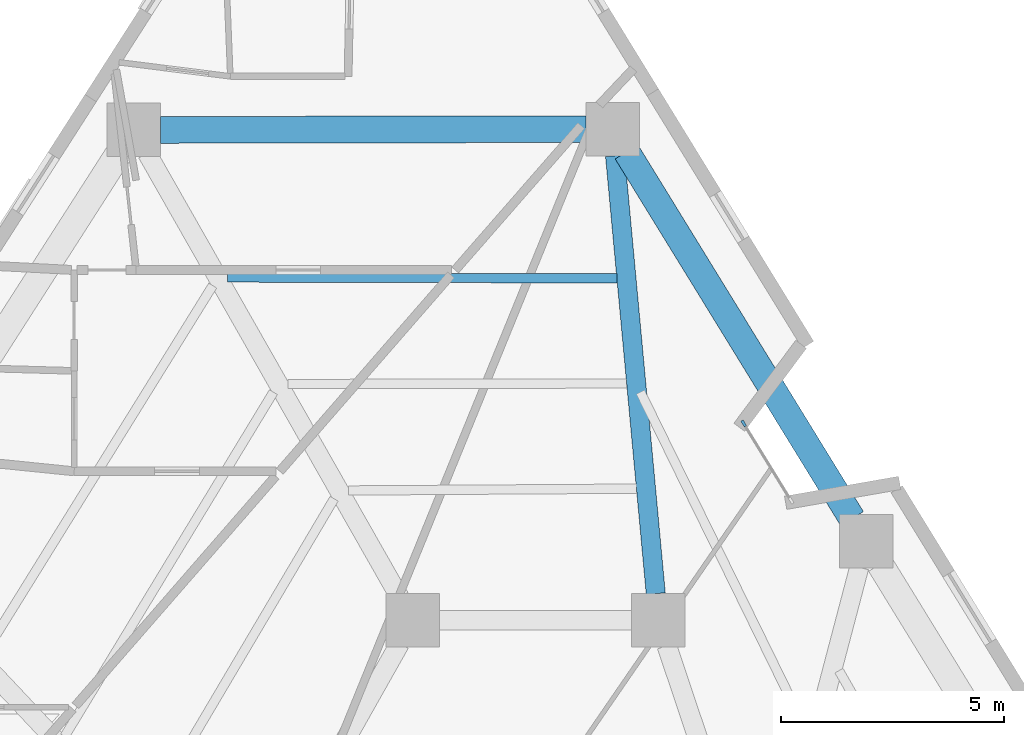
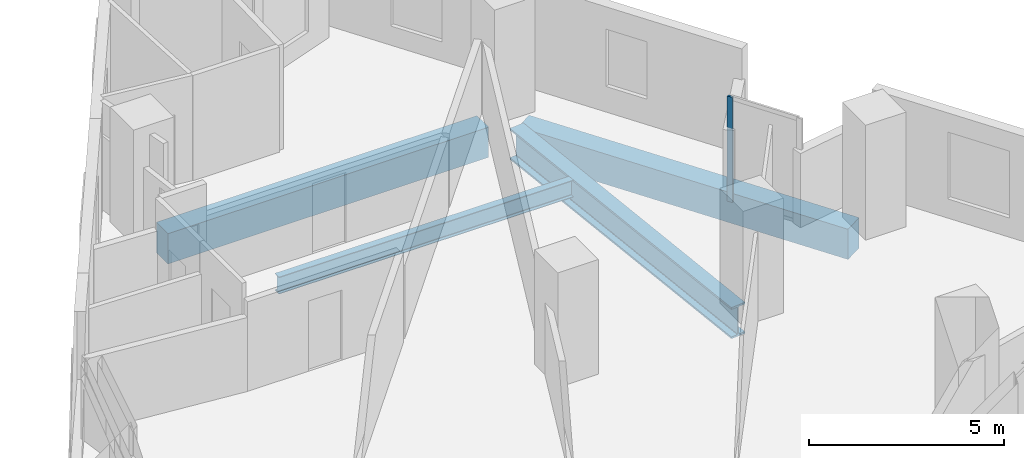
# One storey, part 5 of 13: 4 beams, 1 member, 1 element without a shape of its own.
"""IFC4 building model written with IfcOpenShell, lengths in metres."""

from ifc_helpers import new_model, si_unit, direction, frame, origin, origin_2d, place, context, subcontext, project, spatial, rectangle, i_section, extrude, material, layer, layer_set, material_profile, profile_set, type_object, element, aggregate, save


model = new_model("IFC4")

# Units and contexts
model_context = context("Model", 3, precision=1e-05, world=origin(), true_north=direction((0.0, 1.0)))
body_context = subcontext(model_context, "Body", "Model", "MODEL_VIEW")
ifc_project = project(units=[si_unit("LENGTHUNIT", "METRE"), si_unit("AREAUNIT", "SQUARE_METRE"), si_unit("VOLUMEUNIT", "CUBIC_METRE"), si_unit("PLANEANGLEUNIT", "RADIAN"), si_unit("MASSUNIT", "GRAM", prefix="KILO")], contexts=[model_context])

# Site, building, storey
site_placement = place(None, origin())
site = spatial("IfcSite", under=ifc_project, at=site_placement, CompositionType="ELEMENT")
building_placement = place(site_placement, origin())
building = spatial("IfcBuilding", under=site, at=building_placement, Name="Almagre Mirador Tower", CompositionType="ELEMENT")
storey_placement = place(building_placement, frame((0.0, 0.0, 96.60009765625)))
storey = spatial("IfcBuildingStorey", under=building, at=storey_placement, Name="L24", CompositionType="ELEMENT", Elevation=96.60009765625)

# Beams
ifc_material_1 = material(Name="Steel ASTM A992 Grade 50", Category="steel")
ifc_material_profile_1 = material_profile(ifc_material_1, i_section(OverallWidth=0.208984375, OverallDepth=0.532958984375, WebThickness=0.01025390625, FlangeThickness=0.015625, FilletRadius=0.01806640625, at=origin_2d()), Name="W21X62")
ifc_profile_set_1 = profile_set([ifc_material_profile_1], Name="Steel ASTM A992 Grade 50")
beam_type_1 = type_object("IfcBeamType", Name="BM-JST-W21X62", PredefinedType="JOIST", material=ifc_profile_set_1)
beam_1_placement = place(storey_placement, frame((41.923095703125, 33.86328125, -0.5166015625), z_axis=(-0.999997681519, 0.00215335929, 0.0), x_axis=(-0.00215335929, -0.999997681519, 0.0)))
element("IfcBeam", 1, at=beam_1_placement, inside=storey, type_object=beam_type_1, Name="L24 secondary floor joist PC08-PC09.1", PredefinedType="JOIST", context=body_context, shape_type="SweptSolid", body=[
    extrude(i_section(OverallWidth=0.208984375, OverallDepth=0.532958984375, WebThickness=0.01025390625, FlangeThickness=0.015625, FilletRadius=0.01806640625, at=origin_2d()), origin(), (0.0, 0.0, 1.0), 8.72998046875),
])
ifc_material_2 = material(Name="Precast concrete C50/60", Category="concrete")
ifc_material_profile_2 = material_profile(ifc_material_2, rectangle(XDim=0.60009765625, YDim=0.949951171875, at=origin_2d()), Name="RC600X950")
ifc_profile_set_2 = profile_set([ifc_material_profile_2], Name="Precast concrete C50/60")
beam_type_2 = type_object("IfcBeamType", Name="BM-SPN-RC600X950", PredefinedType="SPANDREL", material=ifc_profile_set_2)
beam_2_placement = place(storey_placement, frame((47.19189453125, 28.47900390625, -0.72509765625), z_axis=(-0.523685040843, 0.851911954369, 0.0), x_axis=(-0.851911954369, -0.523685040843, 0.0)))
element("IfcBeam", 2, at=beam_2_placement, inside=storey, type_object=beam_type_2, Name="L24 perimeter spandrel beam PC07-PC08", PredefinedType="SPANDREL", context=body_context, shape_type="SweptSolid", body=[
    extrude(rectangle(XDim=0.60009765625, YDim=0.949951171875, at=origin_2d()), origin(), (0.0, 0.0, 1.0), 9.646484375),
])
beam_3_placement = place(storey_placement, frame((41.22607421875, 37.206787109375, -0.72509765625), z_axis=(-0.999998482053, -0.001742380833, 0.0), x_axis=(0.001742380833, -0.999998482053, 0.0)))
element("IfcBeam", 3, at=beam_3_placement, inside=storey, type_object=beam_type_2, Name="L24 perimeter spandrel beam PC08-PC09", PredefinedType="SPANDREL", context=body_context, shape_type="SweptSolid", body=[
    extrude(rectangle(XDim=0.60009765625, YDim=0.949951171875, at=origin_2d()), origin(), (0.0, 0.0, 1.0), 9.528076171875),
])
ifc_material_3 = material(Name="Steel ASTM A992 Grade 50", Category="steel")
ifc_material_profile_3 = material_profile(ifc_material_3, i_section(OverallWidth=0.427978515625, OverallDepth=0.97509765625, WebThickness=0.031005859375, FlangeThickness=0.055908203125, FilletRadius=0.028076171875, at=origin_2d()), Name="W36X395")
ifc_profile_set_3 = profile_set([ifc_material_profile_3], Name="Steel ASTM A992 Grade 50")
beam_type_3 = type_object("IfcBeamType", Name="BM-STL-W36X395", PredefinedType="BEAM", material=ifc_profile_set_3)
beam_4_placement = place(storey_placement, frame((41.881591796875, 36.610595703125, -0.737548828125), z_axis=(0.092621655493, -0.99570137538, 0.0), x_axis=(0.99570137538, 0.092621655493, 0.0)))
element("IfcBeam", 4, at=beam_4_placement, inside=storey, type_object=beam_type_3, Name="L24 radial floor girder PC08-MC6", PredefinedType="BEAM", context=body_context, shape_type="SweptSolid", body=[
    extrude(i_section(OverallWidth=0.427978515625, OverallDepth=0.97509765625, WebThickness=0.031005859375, FlangeThickness=0.055908203125, FilletRadius=0.028076171875, at=origin_2d()), origin(), (0.0, 0.0, 1.0), 9.855712890625),
])

# Curtain wall, member
ifc_material_4 = material(Name="Black anodized aluminium", Category="aluminium")
ifc_layer = layer(ifc_material_4, 0.169921875)
ifc_layer_set = layer_set([ifc_layer], Name="Black anodized aluminium")
curtain_wall_type = type_object("IfcCurtainWallType", Name="CW-CRS-SYS", PredefinedType="NOTDEFINED", material=ifc_layer_set)
curtain_wall_placement = place(storey_placement, origin())
curtain_wall = element("IfcCurtainWall", 5, at=curtain_wall_placement, inside=storey, type_object=curtain_wall_type, Name="L24 vertical crease curtain wall 03", PredefinedType="NOTDEFINED")
ifc_material_5 = material(Name="Black anodized aluminium", Category="aluminium")
ifc_material_profile_4 = material_profile(ifc_material_5, rectangle(XDim=0.06005859375, YDim=0.14990234375, at=origin_2d()), Name="CWM60X150")
ifc_profile_set_4 = profile_set([ifc_material_profile_4], Name="Black anodized aluminium")
member_type = type_object("IfcMemberType", Name="MBR-CWM60X150", PredefinedType="MULLION", material=ifc_profile_set_4)
member_placement = place(storey_placement, frame((44.7646484375, 30.613525390625, 0.0), z_axis=(0.0, 0.0, 1.0), x_axis=(0.852085130871, 0.523403219085, 0.0)))
member = element("IfcMember", 6, at=member_placement, type_object=member_type, Name="CW-4 mullion 1", PredefinedType="MULLION", context=body_context, shape_type="SweptSolid", body=[
    extrude(rectangle(XDim=0.06005859375, YDim=0.14990234375, at=origin_2d()), origin(), (0.0, 0.0, 1.0), 3.2998046875),
])
aggregate(curtain_wall, [member])

save(model, "model.ifc")
